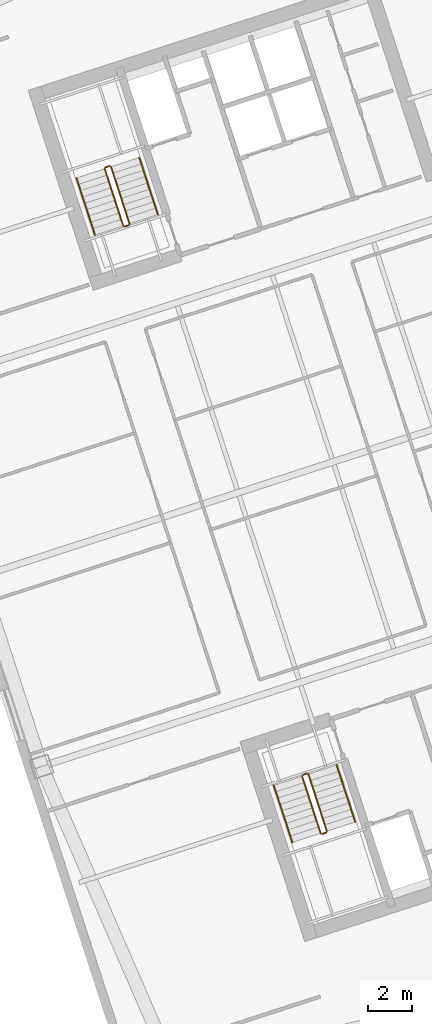
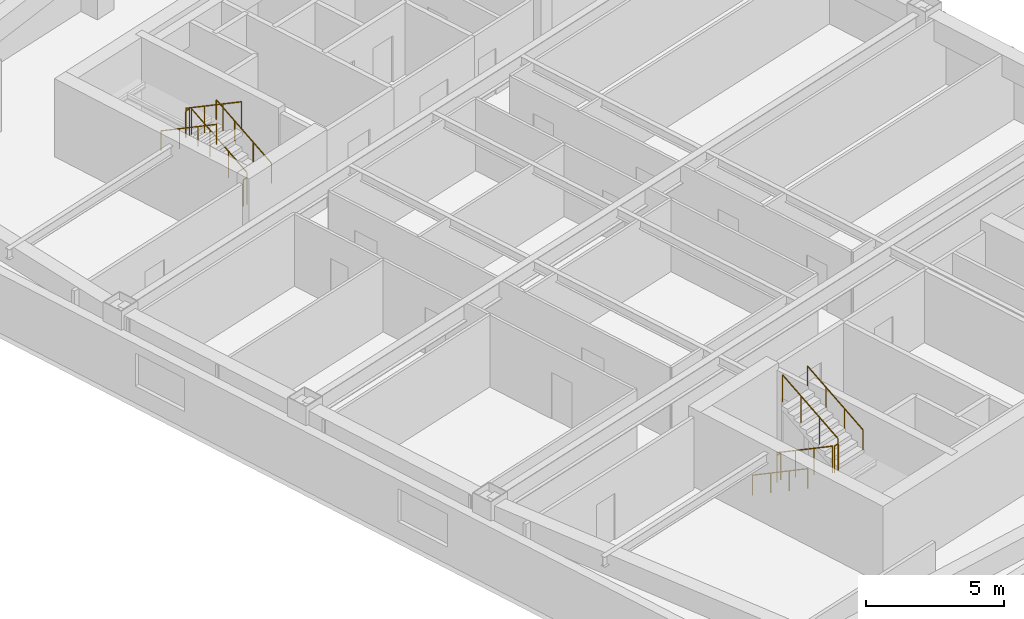
# One storey, part 11 of 11: 12 railings.
"""IFC4 building model written with IfcOpenShell, lengths in metres."""

from ifc_helpers import new_model, si_unit, direction, frame, origin, origin_2d, place, context, subcontext, project, spatial, circle, extrude, material, type_object, element, save


model = new_model("IFC4")

# Units and contexts
model_context = context("Model", 3, precision=1e-05, world=origin(), true_north=direction((0.0, 1.0)))
body_context = subcontext(model_context, "Body", "Model", "MODEL_VIEW")
ifc_project = project(units=[si_unit("LENGTHUNIT", "METRE"), si_unit("AREAUNIT", "SQUARE_METRE"), si_unit("VOLUMEUNIT", "CUBIC_METRE"), si_unit("PLANEANGLEUNIT", "RADIAN"), si_unit("MASSUNIT", "GRAM", prefix="KILO")], contexts=[model_context])

# Site, building, storey
site_placement = place(None, origin())
site = spatial("IfcSite", under=ifc_project, at=site_placement, CompositionType="ELEMENT")
building_placement = place(site_placement, origin())
building = spatial("IfcBuilding", under=site, at=building_placement, Name="Qiaolan Cultural Towers", CompositionType="ELEMENT")
storey_placement = place(building_placement, frame((0.0, 0.0, 117.300048828125)))
storey = spatial("IfcBuildingStorey", under=building, at=storey_placement, Name="L30", CompositionType="ELEMENT", Elevation=117.300048828125)

# Railings
ifc_material_1 = material(Name="Galvanized Painted Steel Stair Guardrail", Category="steel")
railing_type_1 = type_object("IfcRailingType", Name="RL-STAIR-GRD", PredefinedType="GUARDRAIL", material=ifc_material_1)
railing_1_placement = place(storey_placement, frame((88.60205078125, 19.82421875, 0.17236328125)))
element("IfcRailing", 1, at=railing_1_placement, inside=storey, type_object=railing_type_1, Name="L30 ST-E1 stair guard 1", PredefinedType="GUARDRAIL", context=body_context, shape_type="SweptSolid", body=[
    extrude(circle(Radius=0.02392578125, at=origin_2d()), frame((0.0, 0.0, 1.17578125), z_axis=(0.267925668498, -0.824471088726, 0.498460891159), x_axis=(0.951043371037, 0.309057448393, 0.0)), (0.0, 0.0, 1.0), 3.114501953125),
    extrude(circle(Radius=0.02099609375, at=origin_2d()), origin(), (0.0, 0.0, 1.0), 1.15185546875),
    extrude(circle(Radius=0.02099609375, at=origin_2d()), frame((0.278076171875, -0.85595703125, 0.517578125)), (0.0, 0.0, 1.0), 1.15185546875),
    extrude(circle(Radius=0.02099609375, at=origin_2d()), frame((0.556396484375, -1.7119140625, 1.034912109375)), (0.0, 0.0, 1.0), 1.15185546875),
    extrude(circle(Radius=0.02099609375, at=origin_2d()), frame((0.83447265625, -2.56787109375, 1.552490234375)), (0.0, 0.0, 1.0), 1.15185546875),
])
railing_2_placement = place(storey_placement, frame((89.49951171875, 17.224365234375, 1.724853515625)))
element("IfcRailing", 2, at=railing_2_placement, inside=storey, type_object=railing_type_1, Name="L30 ST-E1 stair guard 2", PredefinedType="GUARDRAIL", context=body_context, shape_type="SweptSolid", body=[
    extrude(circle(Radius=0.02392578125, at=origin_2d()), frame((0.0, 0.0, 1.17578125), z_axis=(0.951096855055, 0.308892816854, 0.0), x_axis=(-0.308892816854, 0.951096855055, 0.0)), (0.0, 0.0, 1.0), 0.199951171875),
    extrude(circle(Radius=0.02099609375, at=origin_2d()), origin(), (0.0, 0.0, 1.0), 1.15185546875),
    extrude(circle(Radius=0.02099609375, at=origin_2d()), frame((0.190185546875, 0.061767578125, 0.0)), (0.0, 0.0, 1.0), 1.15185546875),
])
railing_3_placement = place(storey_placement, frame((89.721923828125, 17.34912109375, 1.8974609375)))
element("IfcRailing", 3, at=railing_3_placement, inside=storey, type_object=railing_type_1, Name="L30 ST-E1 stair guard 3", PredefinedType="GUARDRAIL", context=body_context, shape_type="SweptSolid", body=[
    extrude(circle(Radius=0.02392578125, at=origin_2d()), frame((0.0, 0.0, 1.17578125), z_axis=(-0.267925668498, 0.824471088726, 0.498460891159), x_axis=(-0.951043371037, -0.309057448393, 0.0)), (0.0, 0.0, 1.0), 3.114501953125),
    extrude(circle(Radius=0.02099609375, at=origin_2d()), origin(), (0.0, 0.0, 1.0), 1.15185546875),
    extrude(circle(Radius=0.02099609375, at=origin_2d()), frame((-0.278076171875, 0.85595703125, 0.517578125)), (0.0, 0.0, 1.0), 1.15185546875),
    extrude(circle(Radius=0.02099609375, at=origin_2d()), frame((-0.556396484375, 1.7119140625, 1.034912109375)), (0.0, 0.0, 1.0), 1.15185546875),
    extrude(circle(Radius=0.02099609375, at=origin_2d()), frame((-0.83447265625, 2.56787109375, 1.552490234375)), (0.0, 0.0, 1.0), 1.15185546875),
])
railing_4_placement = place(storey_placement, frame((88.63427734375, 19.88720703125, 0.0)))
element("IfcRailing", 4, at=railing_4_placement, inside=storey, type_object=railing_type_1, Name="L30 ST-E1 stair guard 4", PredefinedType="GUARDRAIL", context=body_context, shape_type="SweptSolid", body=[
    extrude(circle(Radius=0.02392578125, at=origin_2d()), frame((0.0, 0.0, 1.17578125), z_axis=(0.951096855055, 0.308892816854, 0.0), x_axis=(-0.308892816854, 0.951096855055, 0.0)), (0.0, 0.0, 1.0), 0.199951171875),
    extrude(circle(Radius=0.02099609375, at=origin_2d()), origin(), (0.0, 0.0, 1.0), 1.15185546875),
    extrude(circle(Radius=0.02099609375, at=origin_2d()), frame((0.190185546875, 0.061767578125, 0.0)), (0.0, 0.0, 1.0), 1.15185546875),
])
railing_5_placement = place(storey_placement, frame((80.822021484375, 44.739501953125, 0.17236328125)))
element("IfcRailing", 5, at=railing_5_placement, inside=storey, type_object=railing_type_1, Name="L30 ST-E2 stair guard 1", PredefinedType="GUARDRAIL", context=body_context, shape_type="SweptSolid", body=[
    extrude(circle(Radius=0.02392578125, at=origin_2d()), frame((0.0, 0.0, 1.17578125), z_axis=(-0.26785290645, 0.824488402118, 0.498471358535), x_axis=(-0.951069945308, -0.308975661068, 0.0)), (0.0, 0.0, 1.0), 3.114501953125),
    extrude(circle(Radius=0.02099609375, at=origin_2d()), origin(), (0.0, 0.0, 1.0), 1.15185546875),
    extrude(circle(Radius=0.02099609375, at=origin_2d()), frame((-0.278076171875, 0.85595703125, 0.517578125)), (0.0, 0.0, 1.0), 1.15185546875),
    extrude(circle(Radius=0.02099609375, at=origin_2d()), frame((-0.55615234375, 1.7119140625, 1.034912109375)), (0.0, 0.0, 1.0), 1.15185546875),
    extrude(circle(Radius=0.02099609375, at=origin_2d()), frame((-0.834228515625, 2.56787109375, 1.552490234375)), (0.0, 0.0, 1.0), 1.15185546875),
])
railing_6_placement = place(storey_placement, frame((79.9248046875, 47.33935546875, 1.724853515625)))
element("IfcRailing", 6, at=railing_6_placement, inside=storey, type_object=railing_type_1, Name="L30 ST-E2 stair guard 2", PredefinedType="GUARDRAIL", context=body_context, shape_type="SweptSolid", body=[
    extrude(circle(Radius=0.02392578125, at=origin_2d()), frame((0.0, 0.0, 1.17578125), z_axis=(-0.951096855055, -0.308892816854, 0.0), x_axis=(0.308892816854, -0.951096855055, 0.0)), (0.0, 0.0, 1.0), 0.199951171875),
    extrude(circle(Radius=0.02099609375, at=origin_2d()), origin(), (0.0, 0.0, 1.0), 1.15185546875),
    extrude(circle(Radius=0.02099609375, at=origin_2d()), frame((-0.190185546875, -0.061767578125, 0.0)), (0.0, 0.0, 1.0), 1.15185546875),
])
railing_7_placement = place(storey_placement, frame((79.702392578125, 47.214599609375, 1.8974609375)))
element("IfcRailing", 7, at=railing_7_placement, inside=storey, type_object=railing_type_1, Name="L30 ST-E2 stair guard 3", PredefinedType="GUARDRAIL", context=body_context, shape_type="SweptSolid", body=[
    extrude(circle(Radius=0.02392578125, at=origin_2d()), frame((0.0, 0.0, 1.17578125), z_axis=(0.267925668498, -0.824471088726, 0.498460891159), x_axis=(0.951043371037, 0.309057448393, 0.0)), (0.0, 0.0, 1.0), 3.114501953125),
    extrude(circle(Radius=0.02099609375, at=origin_2d()), origin(), (0.0, 0.0, 1.0), 1.15185546875),
    extrude(circle(Radius=0.02099609375, at=origin_2d()), frame((0.278076171875, -0.85595703125, 0.517578125)), (0.0, 0.0, 1.0), 1.15185546875),
    extrude(circle(Radius=0.02099609375, at=origin_2d()), frame((0.556396484375, -1.7119140625, 1.034912109375)), (0.0, 0.0, 1.0), 1.15185546875),
    extrude(circle(Radius=0.02099609375, at=origin_2d()), frame((0.83447265625, -2.56787109375, 1.552490234375)), (0.0, 0.0, 1.0), 1.15185546875),
])
railing_8_placement = place(storey_placement, frame((80.7900390625, 44.676513671875, 0.0)))
element("IfcRailing", 8, at=railing_8_placement, inside=storey, type_object=railing_type_1, Name="L30 ST-E2 stair guard 4", PredefinedType="GUARDRAIL", context=body_context, shape_type="SweptSolid", body=[
    extrude(circle(Radius=0.02392578125, at=origin_2d()), frame((0.0, 0.0, 1.17578125), z_axis=(-0.951096855055, -0.308892816854, 0.0), x_axis=(0.308892816854, -0.951096855055, 0.0)), (0.0, 0.0, 1.0), 0.199951171875),
    extrude(circle(Radius=0.02099609375, at=origin_2d()), origin(), (0.0, 0.0, 1.0), 1.15185546875),
    extrude(circle(Radius=0.02099609375, at=origin_2d()), frame((-0.190185546875, -0.061767578125, 0.0)), (0.0, 0.0, 1.0), 1.15185546875),
])
ifc_material_2 = material(Name="Stainless Steel S30408 Tubular Handrail", Category="steel")
railing_type_2 = type_object("IfcRailingType", Name="RL-STAIR-HR", PredefinedType="HANDRAIL", material=ifc_material_2)
railing_9_placement = place(storey_placement, frame((87.32763671875, 19.41015625, 0.17236328125)))
element("IfcRailing", 9, at=railing_9_placement, inside=storey, type_object=railing_type_2, Name="L30 ST-E1 stair handrail 1", PredefinedType="HANDRAIL", context=body_context, shape_type="SweptSolid", body=[
    extrude(circle(Radius=0.02392578125, at=origin_2d()), frame((0.0, 0.0, 0.8759765625), z_axis=(0.267925668498, -0.824471088726, 0.498460891159), x_axis=(0.951043371037, 0.309057448393, 0.0)), (0.0, 0.0, 1.0), 3.114501953125),
    extrude(circle(Radius=0.02099609375, at=origin_2d()), origin(), (0.0, 0.0, 1.0), 0.851806640625),
    extrude(circle(Radius=0.02099609375, at=origin_2d()), frame((0.278076171875, -0.85595703125, 0.517578125)), (0.0, 0.0, 1.0), 0.851806640625),
    extrude(circle(Radius=0.02099609375, at=origin_2d()), frame((0.556396484375, -1.7119140625, 1.034912109375)), (0.0, 0.0, 1.0), 0.851806640625),
    extrude(circle(Radius=0.02099609375, at=origin_2d()), frame((0.83447265625, -2.56787109375, 1.552490234375)), (0.0, 0.0, 1.0), 0.851806640625),
])
railing_10_placement = place(storey_placement, frame((90.996337890625, 17.76318359375, 1.8974609375)))
element("IfcRailing", 10, at=railing_10_placement, inside=storey, type_object=railing_type_2, Name="L30 ST-E1 stair handrail 2", PredefinedType="HANDRAIL", context=body_context, shape_type="SweptSolid", body=[
    extrude(circle(Radius=0.02392578125, at=origin_2d()), frame((0.0, 0.0, 0.8759765625), z_axis=(-0.267925668498, 0.824471088726, 0.498460891159), x_axis=(-0.951043371037, -0.309057448393, 0.0)), (0.0, 0.0, 1.0), 3.114501953125),
    extrude(circle(Radius=0.02099609375, at=origin_2d()), origin(), (0.0, 0.0, 1.0), 0.851806640625),
    extrude(circle(Radius=0.02099609375, at=origin_2d()), frame((-0.278076171875, 0.85595703125, 0.517578125)), (0.0, 0.0, 1.0), 0.851806640625),
    extrude(circle(Radius=0.02099609375, at=origin_2d()), frame((-0.556396484375, 1.7119140625, 1.034912109375)), (0.0, 0.0, 1.0), 0.851806640625),
    extrude(circle(Radius=0.02099609375, at=origin_2d()), frame((-0.83447265625, 2.56787109375, 1.552490234375)), (0.0, 0.0, 1.0), 0.851806640625),
])
railing_11_placement = place(storey_placement, frame((82.096435546875, 45.153564453125, 0.17236328125)))
element("IfcRailing", 11, at=railing_11_placement, inside=storey, type_object=railing_type_2, Name="L30 ST-E2 stair handrail 1", PredefinedType="HANDRAIL", context=body_context, shape_type="SweptSolid", body=[
    extrude(circle(Radius=0.02392578125, at=origin_2d()), frame((0.0, 0.0, 0.8759765625), z_axis=(-0.26785290645, 0.824488402118, 0.498471358535), x_axis=(-0.951069945308, -0.308975661068, 0.0)), (0.0, 0.0, 1.0), 3.114501953125),
    extrude(circle(Radius=0.02099609375, at=origin_2d()), origin(), (0.0, 0.0, 1.0), 0.851806640625),
    extrude(circle(Radius=0.02099609375, at=origin_2d()), frame((-0.278076171875, 0.85595703125, 0.517578125)), (0.0, 0.0, 1.0), 0.851806640625),
    extrude(circle(Radius=0.02099609375, at=origin_2d()), frame((-0.55615234375, 1.7119140625, 1.034912109375)), (0.0, 0.0, 1.0), 0.851806640625),
    extrude(circle(Radius=0.02099609375, at=origin_2d()), frame((-0.834228515625, 2.56787109375, 1.552490234375)), (0.0, 0.0, 1.0), 0.851806640625),
])
railing_12_placement = place(storey_placement, frame((78.427978515625, 46.800537109375, 1.8974609375)))
element("IfcRailing", 12, at=railing_12_placement, inside=storey, type_object=railing_type_2, Name="L30 ST-E2 stair handrail 2", PredefinedType="HANDRAIL", context=body_context, shape_type="SweptSolid", body=[
    extrude(circle(Radius=0.02392578125, at=origin_2d()), frame((0.0, 0.0, 0.8759765625), z_axis=(0.267925668498, -0.824471088726, 0.498460891159), x_axis=(0.951043371037, 0.309057448393, 0.0)), (0.0, 0.0, 1.0), 3.114501953125),
    extrude(circle(Radius=0.02099609375, at=origin_2d()), origin(), (0.0, 0.0, 1.0), 0.851806640625),
    extrude(circle(Radius=0.02099609375, at=origin_2d()), frame((0.278076171875, -0.85595703125, 0.517578125)), (0.0, 0.0, 1.0), 0.851806640625),
    extrude(circle(Radius=0.02099609375, at=origin_2d()), frame((0.556396484375, -1.7119140625, 1.034912109375)), (0.0, 0.0, 1.0), 0.851806640625),
    extrude(circle(Radius=0.02099609375, at=origin_2d()), frame((0.83447265625, -2.56787109375, 1.552490234375)), (0.0, 0.0, 1.0), 0.851806640625),
])

save(model, "model.ifc")
